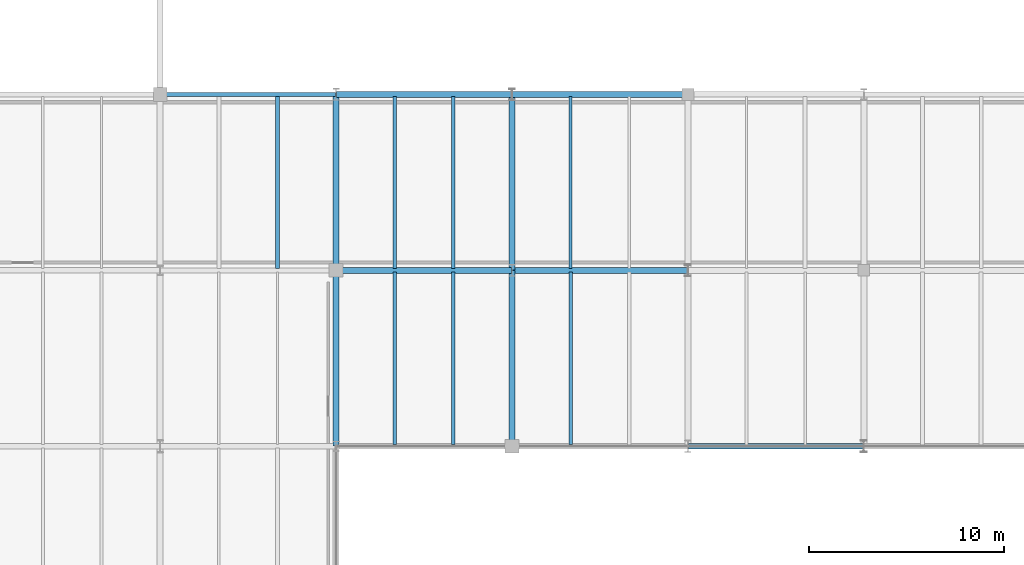
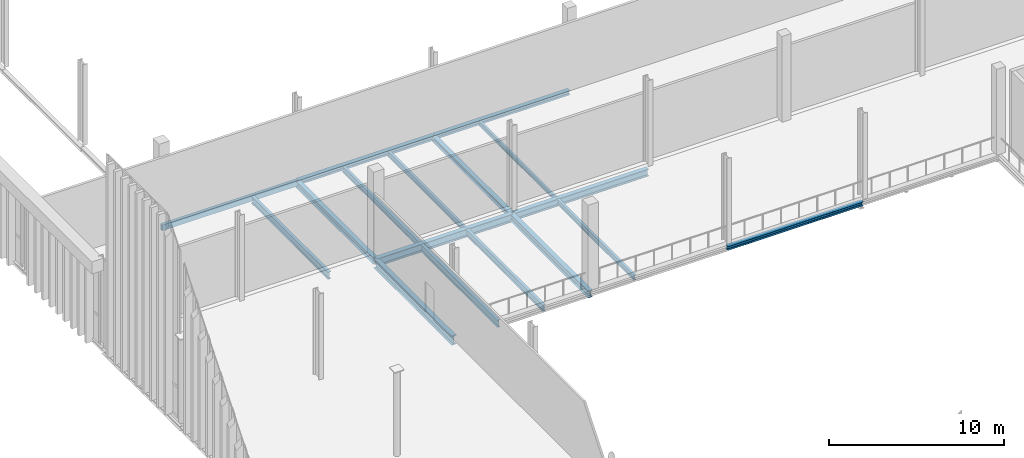
# One storey, part 66 of 237: 17 beams.
"""IFC4 building model written with IfcOpenShell, lengths in metres."""

from ifc_helpers import new_model, si_unit, direction, frame, origin, origin_2d, place, context, subcontext, project, spatial, hollow_rectangle, i_section, extrude, material, material_profile, profile_set, type_object, element, save


model = new_model("IFC4")

# Units and contexts
model_context = context("Model", 3, precision=1e-05, world=origin(), true_north=direction((0.0, 1.0)))
body_context = subcontext(model_context, "Body", "Model", "MODEL_VIEW")
ifc_project = project(units=[si_unit("LENGTHUNIT", "METRE"), si_unit("AREAUNIT", "SQUARE_METRE"), si_unit("VOLUMEUNIT", "CUBIC_METRE"), si_unit("PLANEANGLEUNIT", "RADIAN"), si_unit("MASSUNIT", "GRAM", prefix="KILO")], contexts=[model_context])

# Site, building, storey
site_placement = place(None, origin())
site = spatial("IfcSite", under=ifc_project, at=site_placement, CompositionType="ELEMENT")
building_placement = place(site_placement, origin())
building = spatial("IfcBuilding", under=site, at=building_placement, Name="Barlavento Convention Centre", CompositionType="ELEMENT")
storey_placement = place(building_placement, frame((0.0, 0.0, 12.0)))
storey = spatial("IfcBuildingStorey", under=building, at=storey_placement, Name="L02", CompositionType="ELEMENT", Elevation=12.0)

# Beams
ifc_material = material(Name="Steel S355", Category="steel")
ifc_material_profile_1 = material_profile(ifc_material, i_section(OverallWidth=0.14990234375, OverallDepth=0.300048828125, WebThickness=0.007080078125, FlangeThickness=0.0107421875, FilletRadius=0.014892578125, at=origin_2d()), Name="IPE 300")
ifc_profile_set_1 = profile_set([ifc_material_profile_1], Name="Steel S355")
beam_type_1 = type_object("IfcBeamType", Name="STR-BM-JST-IPE300", PredefinedType="JOIST", material=ifc_profile_set_1)
beam_1_placement = place(storey_placement, frame((30.0, 54.094970703125, -0.449951171875), z_axis=(0.0, 1.0, 0.0), x_axis=(-1.0, 0.0, 0.0)))
element("IfcBeam", 1, at=beam_1_placement, inside=storey, type_object=beam_type_1, Name="L02 composite floor joist SJ07", PredefinedType="JOIST", context=body_context, shape_type="SweptSolid", body=[
    extrude(i_section(OverallWidth=0.14990234375, OverallDepth=0.300048828125, WebThickness=0.007080078125, FlangeThickness=0.0107421875, FilletRadius=0.014892578125, at=origin_2d()), origin(), (0.0, 0.0, 1.0), 8.81005859375),
])
ifc_material_profile_2 = material_profile(ifc_material, i_section(OverallWidth=0.169921875, OverallDepth=0.360107421875, WebThickness=0.008056640625, FlangeThickness=0.0126953125, FilletRadius=0.01806640625, at=origin_2d()), Name="IPE 360")
ifc_profile_set_2 = profile_set([ifc_material_profile_2], Name="Steel S355")
beam_type_2 = type_object("IfcBeamType", Name="STR-BM-JST-IPE360", PredefinedType="JOIST", material=ifc_profile_set_2)
for number, where, z_axis, x_axis, name in (
    (2, (30.0, 45.094970703125, -0.47998046875), (0.0, 1.0, 0.0), (-1.0, 0.0, 0.0), "L02 composite floor joist SJ05"),
    (3, (24.0, 54.094970703125, -0.47998046875), (0.0, 1.0, 0.0), (-1.0, 0.0, 0.0), "L02 composite floor joist SJ05"),
):
    element("IfcBeam", number, at=place(storey_placement, frame(where, z_axis=z_axis, x_axis=x_axis)), inside=storey, type_object=beam_type_2, Name=name, PredefinedType="JOIST", context=body_context, shape_type="SweptSolid", body=[
        extrude(i_section(OverallWidth=0.169921875, OverallDepth=0.360107421875, WebThickness=0.008056640625, FlangeThickness=0.0126953125, FilletRadius=0.01806640625, at=origin_2d()), origin(), (0.0, 0.0, 1.0), 8.81005859375),
    ])
ifc_material_profile_3 = material_profile(ifc_material, i_section(OverallWidth=0.179931640625, OverallDepth=0.39990234375, WebThickness=0.008544921875, FlangeThickness=0.013427734375, FilletRadius=0.02099609375, at=origin_2d()), Name="IPE 400")
ifc_profile_set_3 = profile_set([ifc_material_profile_3], Name="Steel S355")
beam_type_3 = type_object("IfcBeamType", Name="STR-BM-JST-IPE400", PredefinedType="JOIST", material=ifc_profile_set_3)
beam_2_placement = place(storey_placement, frame((21.0, 54.094970703125, -0.5), z_axis=(0.0, 1.0, 0.0), x_axis=(-1.0, 0.0, 0.0)))
element("IfcBeam", 4, at=beam_2_placement, inside=storey, type_object=beam_type_3, Name="L02 composite floor joist SJ04", PredefinedType="JOIST", context=body_context, shape_type="SweptSolid", body=[
    extrude(i_section(OverallWidth=0.179931640625, OverallDepth=0.39990234375, WebThickness=0.008544921875, FlangeThickness=0.013427734375, FilletRadius=0.02099609375, at=origin_2d()), origin(), (0.0, 0.0, 1.0), 8.81005859375),
])
ifc_material_profile_4 = material_profile(ifc_material, i_section(OverallWidth=0.18994140625, OverallDepth=0.449951171875, WebThickness=0.009521484375, FlangeThickness=0.0146484375, FilletRadius=0.02099609375, at=origin_2d()), Name="IPE 450")
ifc_profile_set_4 = profile_set([ifc_material_profile_4], Name="Steel S355")
beam_type_4 = type_object("IfcBeamType", Name="STR-BM-JST-IPE450", PredefinedType="JOIST", material=ifc_profile_set_4)
beam_3_placement = place(storey_placement, frame((24.0, 45.094970703125, -0.52490234375), z_axis=(0.0, 1.0, 0.0), x_axis=(-1.0, 0.0, 0.0)))
element("IfcBeam", 5, at=beam_3_placement, inside=storey, type_object=beam_type_4, Name="L02 composite floor joist SJ03", PredefinedType="JOIST", context=body_context, shape_type="SweptSolid", body=[
    extrude(i_section(OverallWidth=0.18994140625, OverallDepth=0.449951171875, WebThickness=0.009521484375, FlangeThickness=0.0146484375, FilletRadius=0.02099609375, at=origin_2d()), origin(), (0.0, 0.0, 1.0), 8.81005859375),
])
ifc_material_profile_5 = material_profile(ifc_material, i_section(OverallWidth=0.199951171875, OverallDepth=0.5, WebThickness=0.01025390625, FlangeThickness=0.01611328125, FilletRadius=0.02099609375, at=origin_2d()), Name="IPE 500")
ifc_profile_set_5 = profile_set([ifc_material_profile_5], Name="Steel S355")
beam_type_5 = type_object("IfcBeamType", Name="STR-BM-JST-IPE500", PredefinedType="JOIST", material=ifc_profile_set_5)
for number, where, z_axis, x_axis, name in (
    (6, (21.0, 45.094970703125, -0.550048828125), (0.0, 1.0, 0.0), (-1.0, 0.0, 0.0), "L02 composite floor joist SJ02"),
    (7, (15.0, 54.094970703125, -0.550048828125), (0.0, 1.0, 0.0), (-1.0, 0.0, 0.0), "L02 composite floor joist SJ02"),
):
    element("IfcBeam", number, at=place(storey_placement, frame(where, z_axis=z_axis, x_axis=x_axis)), inside=storey, type_object=beam_type_5, Name=name, PredefinedType="JOIST", context=body_context, shape_type="SweptSolid", body=[
        extrude(i_section(OverallWidth=0.199951171875, OverallDepth=0.5, WebThickness=0.01025390625, FlangeThickness=0.01611328125, FilletRadius=0.02099609375, at=origin_2d()), origin(), (0.0, 0.0, 1.0), 8.81005859375),
    ])
ifc_material_profile_6 = material_profile(ifc_material, i_section(OverallWidth=0.300048828125, OverallDepth=0.330078125, WebThickness=0.009521484375, FlangeThickness=0.0166015625, FilletRadius=0.027099609375, at=origin_2d()), Name="HEA 340")
ifc_profile_set_6 = profile_set([ifc_material_profile_6], Name="Steel S355")
beam_type_6 = type_object("IfcBeamType", Name="STR-BM-PRI-HEA340", PredefinedType="BEAM", material=ifc_profile_set_6)
beam_4_placement = place(storey_placement, frame((27.0, 54.02001953125, -0.465087890625), z_axis=(0.0, 1.0, 0.0), x_axis=(-1.0, 0.0, 0.0)))
element("IfcBeam", 8, at=beam_4_placement, inside=storey, type_object=beam_type_6, Name="L02 grid girder BG24", PredefinedType="BEAM", context=body_context, shape_type="SweptSolid", body=[
    extrude(i_section(OverallWidth=0.300048828125, OverallDepth=0.330078125, WebThickness=0.009521484375, FlangeThickness=0.0166015625, FilletRadius=0.027099609375, at=origin_2d()), origin(), (0.0, 0.0, 1.0), 8.9599609375),
])
ifc_material_profile_7 = material_profile(ifc_material, i_section(OverallWidth=0.300048828125, OverallDepth=0.43994140625, WebThickness=0.011474609375, FlangeThickness=0.02099609375, FilletRadius=0.027099609375, at=origin_2d()), Name="HEA 450")
ifc_profile_set_7 = profile_set([ifc_material_profile_7], Name="Steel S355")
beam_type_7 = type_object("IfcBeamType", Name="STR-BM-PRI-HEA450", PredefinedType="BEAM", material=ifc_profile_set_7)
beam_5_placement = place(storey_placement, frame((18.0, 54.02001953125, -0.52001953125), z_axis=(0.0, 1.0, 0.0), x_axis=(-1.0, 0.0, 0.0)))
element("IfcBeam", 9, at=beam_5_placement, inside=storey, type_object=beam_type_7, Name="L02 grid girder BG21", PredefinedType="BEAM", context=body_context, shape_type="SweptSolid", body=[
    extrude(i_section(OverallWidth=0.300048828125, OverallDepth=0.43994140625, WebThickness=0.011474609375, FlangeThickness=0.02099609375, FilletRadius=0.027099609375, at=origin_2d()), origin(), (0.0, 0.0, 1.0), 8.9599609375),
])
ifc_material_profile_8 = material_profile(ifc_material, i_section(OverallWidth=0.300048828125, OverallDepth=0.489990234375, WebThickness=0.011962890625, FlangeThickness=0.02294921875, FilletRadius=0.027099609375, at=origin_2d()), Name="HEA 500")
ifc_profile_set_8 = profile_set([ifc_material_profile_8], Name="Steel S355")
beam_type_8 = type_object("IfcBeamType", Name="STR-BM-PRI-HEA500", PredefinedType="BEAM", material=ifc_profile_set_8)
beam_6_placement = place(storey_placement, frame((27.0, 45.02001953125, -0.544921875), z_axis=(0.0, 1.0, 0.0), x_axis=(-1.0, 0.0, 0.0)))
element("IfcBeam", 10, at=beam_6_placement, inside=storey, type_object=beam_type_8, Name="L02 grid girder BG20", PredefinedType="BEAM", context=body_context, shape_type="SweptSolid", body=[
    extrude(i_section(OverallWidth=0.300048828125, OverallDepth=0.489990234375, WebThickness=0.011962890625, FlangeThickness=0.02294921875, FilletRadius=0.027099609375, at=origin_2d()), origin(), (0.0, 0.0, 1.0), 8.9599609375),
])
ifc_material_profile_9 = material_profile(ifc_material, i_section(OverallWidth=0.300048828125, OverallDepth=0.639892578125, WebThickness=0.013427734375, FlangeThickness=0.02587890625, FilletRadius=0.027099609375, at=origin_2d()), Name="HEA 650")
ifc_profile_set_9 = profile_set([ifc_material_profile_9], Name="Steel S355")
beam_type_9 = type_object("IfcBeamType", Name="STR-BM-PRI-HEA650", PredefinedType="BEAM", material=ifc_profile_set_9)
beam_7_placement = place(storey_placement, frame((18.0, 45.02001953125, -0.6201171875), z_axis=(0.0, 1.0, 0.0), x_axis=(-1.0, 0.0, 0.0)))
element("IfcBeam", 11, at=beam_7_placement, inside=storey, type_object=beam_type_9, Name="L02 grid girder BG17", PredefinedType="BEAM", context=body_context, shape_type="SweptSolid", body=[
    extrude(i_section(OverallWidth=0.300048828125, OverallDepth=0.639892578125, WebThickness=0.013427734375, FlangeThickness=0.02587890625, FilletRadius=0.027099609375, at=origin_2d()), origin(), (0.0, 0.0, 1.0), 8.9599609375),
])
ifc_material_profile_10 = material_profile(ifc_material, i_section(OverallWidth=0.300048828125, OverallDepth=0.5, WebThickness=0.014404296875, FlangeThickness=0.028076171875, FilletRadius=0.027099609375, at=origin_2d()), Name="HEB 500")
ifc_profile_set_10 = profile_set([ifc_material_profile_10], Name="Steel S355")
beam_type_10 = type_object("IfcBeamType", Name="STR-BM-PRI-HEB500", PredefinedType="BEAM", material=ifc_profile_set_10)
beam_8_placement = place(storey_placement, frame((27.02001953125, 54.0, -0.550048828125), z_axis=(1.0, 0.0, 0.0), x_axis=(0.0, 1.0, 0.0)))
element("IfcBeam", 12, at=beam_8_placement, inside=storey, type_object=beam_type_10, Name="L02 primary girder BG09", PredefinedType="BEAM", context=body_context, shape_type="SweptSolid", body=[
    extrude(i_section(OverallWidth=0.300048828125, OverallDepth=0.5, WebThickness=0.014404296875, FlangeThickness=0.028076171875, FilletRadius=0.027099609375, at=origin_2d()), origin(), (0.0, 0.0, 1.0), 8.9599609375),
])
ifc_material_profile_11 = material_profile(ifc_material, i_section(OverallWidth=0.300048828125, OverallDepth=0.550048828125, WebThickness=0.014892578125, FlangeThickness=0.029052734375, FilletRadius=0.027099609375, at=origin_2d()), Name="HEB 550")
ifc_profile_set_11 = profile_set([ifc_material_profile_11], Name="Steel S355")
beam_type_11 = type_object("IfcBeamType", Name="STR-BM-PRI-HEB550", PredefinedType="BEAM", material=ifc_profile_set_11)
beam_9_placement = place(storey_placement, frame((18.02001953125, 54.0, -0.574951171875), z_axis=(1.0, 0.0, 0.0), x_axis=(0.0, 1.0, 0.0)))
element("IfcBeam", 13, at=beam_9_placement, inside=storey, type_object=beam_type_11, Name="L02 primary girder BG08", PredefinedType="BEAM", context=body_context, shape_type="SweptSolid", body=[
    extrude(i_section(OverallWidth=0.300048828125, OverallDepth=0.550048828125, WebThickness=0.014892578125, FlangeThickness=0.029052734375, FilletRadius=0.027099609375, at=origin_2d()), origin(), (0.0, 0.0, 1.0), 8.9599609375),
])
ifc_material_profile_12 = material_profile(ifc_material, i_section(OverallWidth=0.280029296875, OverallDepth=0.27001953125, WebThickness=0.008056640625, FlangeThickness=0.012939453125, FilletRadius=0.02392578125, at=origin_2d()), Name="HEA 280")
ifc_profile_set_12 = profile_set([ifc_material_profile_12], Name="Steel S355")
beam_type_12 = type_object("IfcBeamType", Name="STR-BM-SPN-HEA280", PredefinedType="SPANDREL", material=ifc_profile_set_12)
beam_10_placement = place(storey_placement, frame((36.02001953125, 45.0, -0.43505859375), z_axis=(1.0, 0.0, 0.0), x_axis=(0.0, 1.0, 0.0)))
element("IfcBeam", 14, at=beam_10_placement, inside=storey, type_object=beam_type_12, Name="L02 primary girder SP03", PredefinedType="SPANDREL", context=body_context, shape_type="SweptSolid", body=[
    extrude(i_section(OverallWidth=0.280029296875, OverallDepth=0.27001953125, WebThickness=0.008056640625, FlangeThickness=0.012939453125, FilletRadius=0.02392578125, at=origin_2d()), origin(), (0.0, 0.0, 1.0), 8.9599609375),
])
ifc_material_profile_13 = material_profile(ifc_material, i_section(OverallWidth=0.300048828125, OverallDepth=0.2900390625, WebThickness=0.008544921875, FlangeThickness=0.013916015625, FilletRadius=0.027099609375, at=origin_2d()), Name="HEA 300")
ifc_profile_set_13 = profile_set([ifc_material_profile_13], Name="Steel S355")
beam_type_13 = type_object("IfcBeamType", Name="STR-BM-SPN-HEA300", PredefinedType="SPANDREL", material=ifc_profile_set_13)
beam_11_placement = place(storey_placement, frame((27.02001953125, 63.0, -0.425048828125), z_axis=(1.0, 0.0, 0.0), x_axis=(0.0, 1.0, 0.0)))
element("IfcBeam", 15, at=beam_11_placement, inside=storey, type_object=beam_type_13, Name="L02 primary girder SP02", PredefinedType="SPANDREL", context=body_context, shape_type="SweptSolid", body=[
    extrude(i_section(OverallWidth=0.300048828125, OverallDepth=0.2900390625, WebThickness=0.008544921875, FlangeThickness=0.013916015625, FilletRadius=0.027099609375, at=origin_2d()), origin(), (0.0, 0.0, 1.0), 8.9599609375),
])
ifc_material_profile_14 = material_profile(ifc_material, i_section(OverallWidth=0.300048828125, OverallDepth=0.31005859375, WebThickness=0.009033203125, FlangeThickness=0.015380859375, FilletRadius=0.027099609375, at=origin_2d()), Name="HEA 320")
ifc_profile_set_14 = profile_set([ifc_material_profile_14], Name="Steel S355")
beam_type_14 = type_object("IfcBeamType", Name="STR-BM-SPN-HEA320", PredefinedType="SPANDREL", material=ifc_profile_set_14)
beam_12_placement = place(storey_placement, frame((18.02001953125, 63.0, -0.43505859375), z_axis=(1.0, 0.0, 0.0), x_axis=(0.0, 1.0, 0.0)))
element("IfcBeam", 16, at=beam_12_placement, inside=storey, type_object=beam_type_14, Name="L02 primary girder SP01", PredefinedType="SPANDREL", context=body_context, shape_type="SweptSolid", body=[
    extrude(i_section(OverallWidth=0.300048828125, OverallDepth=0.31005859375, WebThickness=0.009033203125, FlangeThickness=0.015380859375, FilletRadius=0.027099609375, at=origin_2d()), origin(), (0.0, 0.0, 1.0), 8.9599609375),
])
ifc_material_profile_15 = material_profile(ifc_material, hollow_rectangle(XDim=0.199951171875, YDim=0.39990234375, WallThickness=0.01611328125, at=origin_2d()), Name="RHS 400x200x16.0")
ifc_profile_set_15 = profile_set([ifc_material_profile_15], Name="Steel S355")
beam_type_15 = type_object("IfcBeamType", Name="STR-BM-SPN-RHS400", PredefinedType="SPANDREL", material=ifc_profile_set_15)
beam_13_placement = place(storey_placement, frame((9.02001953125, 63.0, -0.47998046875), z_axis=(1.0, 0.0, 0.0), x_axis=(0.0, 1.0, 0.0)))
element("IfcBeam", 17, at=beam_13_placement, inside=storey, type_object=beam_type_15, Name="L02 primary girder SP06", PredefinedType="SPANDREL", context=body_context, shape_type="SweptSolid", body=[
    extrude(hollow_rectangle(XDim=0.199951171875, YDim=0.39990234375, WallThickness=0.01611328125, at=origin_2d()), origin(), (0.0, 0.0, 1.0), 8.9599609375),
])

save(model, "model.ifc")
